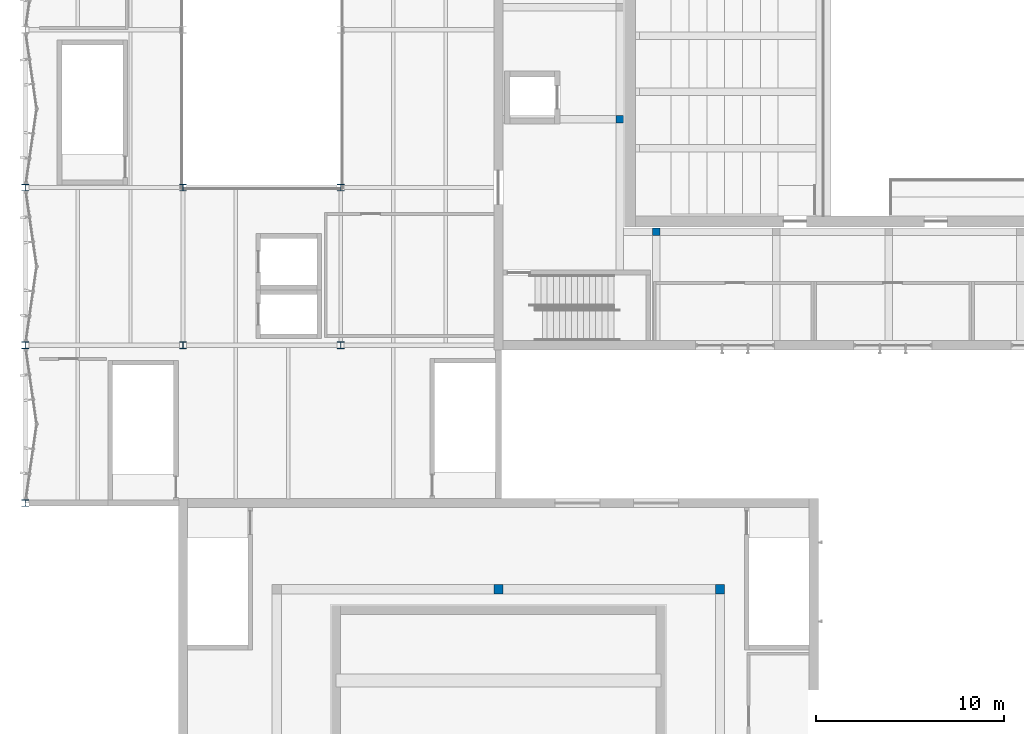
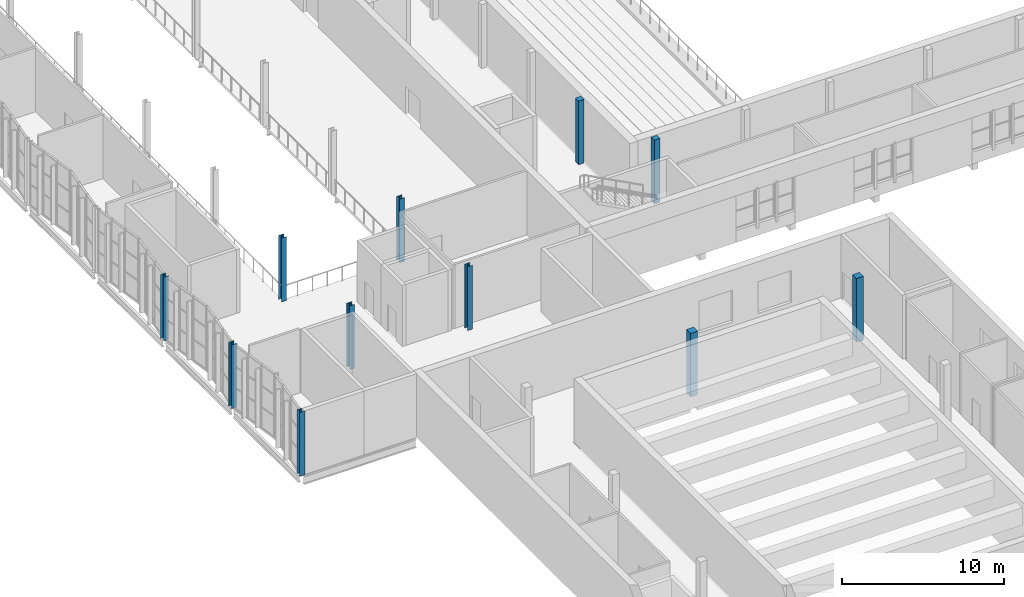
# One storey, part 2 of 116: 11 columns.
"""IFC4 building model written with IfcOpenShell, lengths in metres."""

from ifc_helpers import new_model, si_unit, direction, frame, origin, origin_2d, place, context, subcontext, project, spatial, rectangle, i_section, extrude, material, material_profile, profile_set, type_object, element, save


model = new_model("IFC4")

# Units and contexts
model_context = context("Model", 3, precision=1e-05, world=origin(), true_north=direction((0.0, 1.0)))
body_context = subcontext(model_context, "Body", "Model", "MODEL_VIEW")
ifc_project = project(units=[si_unit("LENGTHUNIT", "METRE"), si_unit("AREAUNIT", "SQUARE_METRE"), si_unit("VOLUMEUNIT", "CUBIC_METRE"), si_unit("PLANEANGLEUNIT", "RADIAN"), si_unit("MASSUNIT", "GRAM", prefix="KILO")], contexts=[model_context])

# Site, building, storey
site_placement = place(None, origin())
site = spatial("IfcSite", under=ifc_project, at=site_placement, CompositionType="ELEMENT")
building_placement = place(site_placement, origin())
building = spatial("IfcBuilding", under=site, at=building_placement, Name="Ljudholm Concert House", CompositionType="ELEMENT")
storey_placement = place(building_placement, frame((0.0, 0.0, 10.199951171875)))
storey = spatial("IfcBuildingStorey", under=building, at=storey_placement, Name="L02", CompositionType="ELEMENT", Elevation=10.199951171875)

# Columns
ifc_material_1 = material(Name="Concrete 6,500 psi", Category="concrete")
ifc_material_profile_1 = material_profile(ifc_material_1, rectangle(XDim=0.39990234375, YDim=0.39990234375, at=origin_2d()), Name="RC COLUMN 400x400")
ifc_profile_set_1 = profile_set([ifc_material_profile_1], Name="Concrete 6,500 psi")
column_type_1 = type_object("IfcColumnType", Name="RC COLUMN 400x400", PredefinedType="COLUMN", material=ifc_profile_set_1)
for number, where, z_axis, x_axis, name in (
    (1, (37.60009765625, 60.449951171875, 0.0), (0.0, 0.0, 1.0), (1.0, 0.0, 0.0), "Ring column"),
    (2, (35.64990234375, 66.429931640625, 0.0), (0.0, 0.0, 1.0), (1.0, 0.0, 0.0), "Ring column"),
):
    element("IfcColumn", number, at=place(storey_placement, frame(where, z_axis=z_axis, x_axis=x_axis)), inside=storey, type_object=column_type_1, Name=name, PredefinedType="COLUMN", context=body_context, shape_type="SweptSolid", body=[
        extrude(rectangle(XDim=0.39990234375, YDim=0.39990234375, at=origin_2d()), origin(), (0.0, 0.0, 1.0), 4.800048828125),
    ])
ifc_material_2 = material(Name="Concrete 6,500 psi", Category="concrete")
ifc_material_profile_2 = material_profile(ifc_material_2, rectangle(XDim=0.5, YDim=0.5, at=origin_2d()), Name="RC COLUMN 500x500")
ifc_profile_set_2 = profile_set([ifc_material_profile_2], Name="Concrete 6,500 psi")
column_type_2 = type_object("IfcColumnType", Name="RC COLUMN 500x500", PredefinedType="COLUMN", material=ifc_profile_set_2)
for number, where, z_axis, x_axis, name in (
    (3, (29.199951171875, 41.39990234375, 0.0), (0.0, 0.0, 1.0), (1.0, 0.0, 0.0), "Ring column"),
    (4, (41.0, 41.39990234375, 0.0), (0.0, 0.0, 1.0), (1.0, 0.0, 0.0), "Ring column"),
):
    element("IfcColumn", number, at=place(storey_placement, frame(where, z_axis=z_axis, x_axis=x_axis)), inside=storey, type_object=column_type_2, Name=name, PredefinedType="COLUMN", context=body_context, shape_type="SweptSolid", body=[
        extrude(rectangle(XDim=0.5, YDim=0.5, at=origin_2d()), origin(), (0.0, 0.0, 1.0), 4.800048828125),
    ])
ifc_material_3 = material(Name="Steel ASTM A992", Category="steel")
ifc_material_profile_3 = material_profile(ifc_material_3, i_section(OverallWidth=0.368408203125, OverallDepth=0.355712890625, WebThickness=0.01123046875, FlangeThickness=0.01806640625, FilletRadius=0.01513671875, at=origin_2d()), Name="W14X90")
ifc_profile_set_3 = profile_set([ifc_material_profile_3], Name="Steel ASTM A992")
column_type_3 = type_object("IfcColumnType", Name="STEEL COLUMN W14X90", PredefinedType="COLUMN", material=ifc_profile_set_3)
for number, where, z_axis, x_axis, name in (
    (5, (4.0, 46.0, 0.0), (0.0, 0.0, 1.0), (1.0, 0.0, 0.0), "Column W14X90"),
    (6, (4.0, 54.39990234375, 0.0), (0.0, 0.0, 1.0), (1.0, 0.0, 0.0), "Column W14X90"),
    (7, (4.0, 62.800048828125, 0.0), (0.0, 0.0, 1.0), (1.0, 0.0, 0.0), "Column W14X90"),
    (8, (12.39990234375, 54.39990234375, 0.0), (0.0, 0.0, 1.0), (1.0, 0.0, 0.0), "Column W14X90"),
    (9, (12.39990234375, 62.800048828125, 0.0), (0.0, 0.0, 1.0), (1.0, 0.0, 0.0), "Column W14X90"),
    (10, (20.800048828125, 54.39990234375, 0.0), (0.0, 0.0, 1.0), (1.0, 0.0, 0.0), "Column W14X90"),
    (11, (20.800048828125, 62.800048828125, 0.0), (0.0, 0.0, 1.0), (1.0, 0.0, 0.0), "Column W14X90"),
):
    element("IfcColumn", number, at=place(storey_placement, frame(where, z_axis=z_axis, x_axis=x_axis)), inside=storey, type_object=column_type_3, Name=name, PredefinedType="COLUMN", context=body_context, shape_type="SweptSolid", body=[
        extrude(i_section(OverallWidth=0.368408203125, OverallDepth=0.355712890625, WebThickness=0.01123046875, FlangeThickness=0.01806640625, FilletRadius=0.01513671875, at=origin_2d()), origin(), (0.0, 0.0, 1.0), 4.800048828125),
    ])

save(model, "model.ifc")
